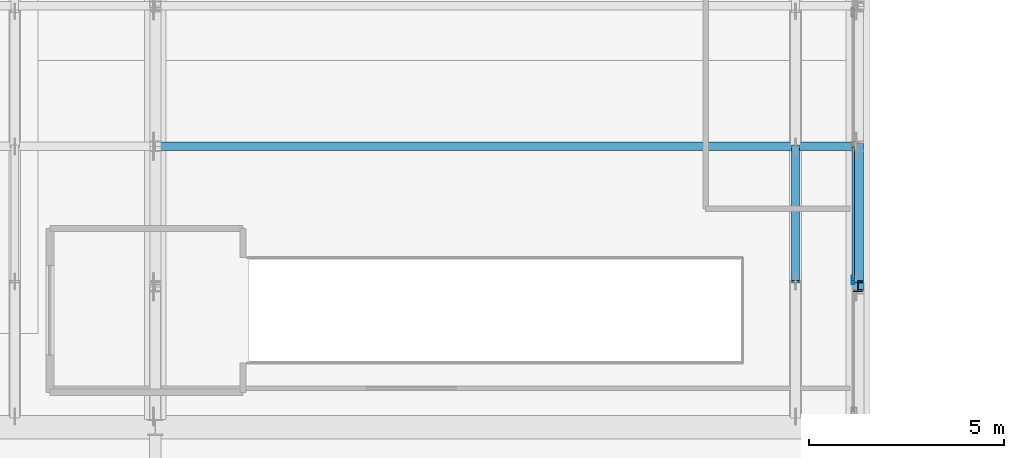
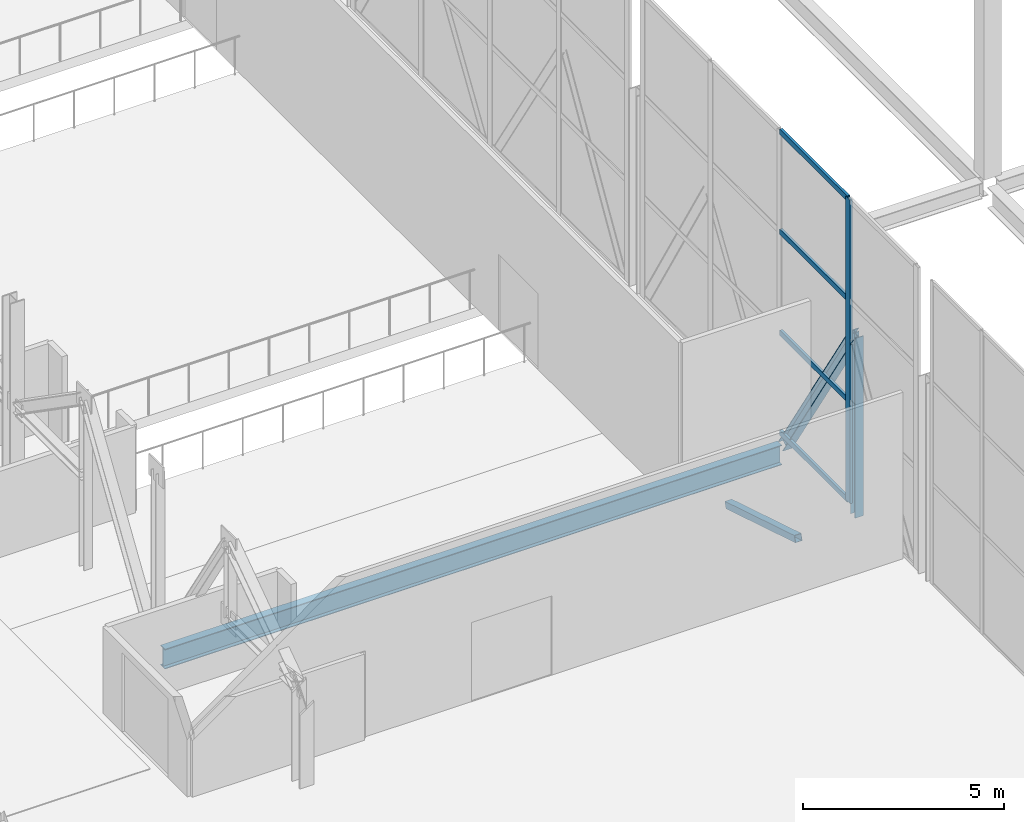
# One storey, part 55 of 191: 8 members, 1 beam, 1 element without a shape of its own.
"""IFC4 building model written with IfcOpenShell, lengths in metres."""

from ifc_helpers import new_model, si_unit, direction, frame, origin, origin_2d, place, context, subcontext, project, spatial, hollow_rectangle, i_section, extrude, material, layer, layer_set, material_profile, profile_set, type_object, element, aggregate, save


model = new_model("IFC4")

# Units and contexts
model_context = context("Model", 3, precision=1e-05, world=origin(), true_north=direction((0.0, 1.0)))
body_context = subcontext(model_context, "Body", "Model", "MODEL_VIEW")
ifc_project = project(units=[si_unit("LENGTHUNIT", "METRE"), si_unit("AREAUNIT", "SQUARE_METRE"), si_unit("VOLUMEUNIT", "CUBIC_METRE"), si_unit("PLANEANGLEUNIT", "RADIAN"), si_unit("MASSUNIT", "GRAM", prefix="KILO")], contexts=[model_context])

# Site, building, storey
site_placement = place(None, origin())
site = spatial("IfcSite", under=ifc_project, at=site_placement, CompositionType="ELEMENT")
building_placement = place(site_placement, origin())
building = spatial("IfcBuilding", under=site, at=building_placement, Name="Tamarisk Ironworks Central Station", CompositionType="ELEMENT")
storey_placement = place(building_placement, frame((0.0, 0.0, 6.60009765625)))
storey = spatial("IfcBuildingStorey", under=building, at=storey_placement, Name="L01", CompositionType="ELEMENT", Elevation=6.60009765625)

# Beam
ifc_material_1 = material(Name="Structural steel S355J2", Category="steel")
ifc_material_profile_1 = material_profile(ifc_material_1, i_section(OverallWidth=0.219970703125, OverallDepth=0.60009765625, WebThickness=0.011962890625, FlangeThickness=0.01904296875, at=origin_2d()), Name="IPE 600")
ifc_profile_set_1 = profile_set([ifc_material_profile_1], Name="Structural steel S355J2")
beam_type = type_object("IfcBeamType", Name="BM-B01", PredefinedType="BEAM", material=ifc_profile_set_1)
beam_placement = place(storey_placement, frame((90.135009765625, 28.800048828125, -0.60009765625), z_axis=(1.0, 0.0, 0.0), x_axis=(0.0, 1.0, 0.0)))
element("IfcBeam", 1, at=beam_placement, inside=storey, type_object=beam_type, Name="L01 secondary composite beam 0033", PredefinedType="BEAM", context=body_context, shape_type="SweptSolid", body=[
    extrude(i_section(OverallWidth=0.219970703125, OverallDepth=0.60009765625, WebThickness=0.011962890625, FlangeThickness=0.01904296875, at=origin_2d()), origin(), (0.0, 0.0, 1.0), 17.72998046875),
])

# Curtain wall, members
ifc_material_2 = material(Name="Anodized aluminium alloy 6063-T6", Category="aluminium")
ifc_layer = layer(ifc_material_2, 0.179931640625)
ifc_layer_set = layer_set([ifc_layer], Name="Anodized aluminium alloy 6063-T6")
curtain_wall_type = type_object("IfcCurtainWallType", Name="CW-06", PredefinedType="USERDEFINED", material=ifc_layer_set)
curtain_wall_placement = place(storey_placement, origin())
curtain_wall = element("IfcCurtainWall", 2, at=curtain_wall_placement, inside=storey, type_object=curtain_wall_type, Name="Concourse E track-overlook curtain wall 02", ObjectType="GLAZED CURTAIN WALL", PredefinedType="USERDEFINED")
ifc_material_profile_2 = material_profile(ifc_material_2, hollow_rectangle(XDim=0.074951171875, YDim=0.219970703125, WallThickness=0.00390625, at=origin_2d()), Name="ALUM 220x75")
ifc_profile_set_2 = profile_set([ifc_material_profile_2], Name="Anodized aluminium alloy 6063-T6")
member_type_1 = type_object("IfcMemberType", Name="CWM-01", PredefinedType="MULLION", material=ifc_profile_set_2)
member_1_placement = place(storey_placement, frame((107.8798828125, 25.375, 0.0), z_axis=(0.0, 0.0, 1.0), x_axis=(-1.0, 0.0, 0.0)))
member_1 = element("IfcMember", 3, at=member_1_placement, type_object=member_type_1, Name="CW06 mullion 2", PredefinedType="MULLION", context=body_context, shape_type="SweptSolid", body=[
    extrude(hollow_rectangle(XDim=0.074951171875, YDim=0.219970703125, WallThickness=0.00390625, at=origin_2d()), origin(), (0.0, 0.0, 1.0), 9.219970703125),
])
ifc_material_profile_3 = material_profile(ifc_material_2, hollow_rectangle(XDim=0.074951171875, YDim=0.159912109375, WallThickness=0.00390625, at=origin_2d()), Name="ALUM 160x75")
ifc_profile_set_3 = profile_set([ifc_material_profile_3], Name="Anodized aluminium alloy 6063-T6")
member_type_2 = type_object("IfcMemberType", Name="CWT-01", PredefinedType="USERDEFINED", material=ifc_profile_set_3)
member_2_placement = place(storey_placement, frame((107.8798828125, 25.408447265625, 0.037353515625), z_axis=(0.0, 1.0, 0.0), x_axis=(-1.0, 0.0, 0.0)))
member_2 = element("IfcMember", 4, at=member_2_placement, type_object=member_type_2, Name="CW06 transom 2.1", ObjectType="TRANSOM", PredefinedType="USERDEFINED", context=body_context, shape_type="SweptSolid", body=[
    extrude(hollow_rectangle(XDim=0.074951171875, YDim=0.159912109375, WallThickness=0.00390625, at=origin_2d()), origin(), (0.0, 0.0, 1.0), 3.358154296875),
])
member_3_placement = place(storey_placement, frame((107.8798828125, 25.408447265625, 3.0732421875), z_axis=(0.0, 1.0, 0.0), x_axis=(-1.0, 0.0, 0.0)))
member_3 = element("IfcMember", 5, at=member_3_placement, type_object=member_type_2, Name="CW06 transom 2.2", ObjectType="TRANSOM", PredefinedType="USERDEFINED", context=body_context, shape_type="SweptSolid", body=[
    extrude(hollow_rectangle(XDim=0.074951171875, YDim=0.159912109375, WallThickness=0.00390625, at=origin_2d()), origin(), (0.0, 0.0, 1.0), 3.358154296875),
])
member_4_placement = place(storey_placement, frame((107.8798828125, 25.408447265625, 6.146484375), z_axis=(0.0, 1.0, 0.0), x_axis=(-1.0, 0.0, 0.0)))
member_4 = element("IfcMember", 6, at=member_4_placement, type_object=member_type_2, Name="CW06 transom 2.3", ObjectType="TRANSOM", PredefinedType="USERDEFINED", context=body_context, shape_type="SweptSolid", body=[
    extrude(hollow_rectangle(XDim=0.074951171875, YDim=0.159912109375, WallThickness=0.00390625, at=origin_2d()), origin(), (0.0, 0.0, 1.0), 3.358154296875),
])
member_5_placement = place(storey_placement, frame((107.8798828125, 25.408447265625, 9.182373046875), z_axis=(0.0, 1.0, 0.0), x_axis=(-1.0, 0.0, 0.0)))
member_5 = element("IfcMember", 7, at=member_5_placement, type_object=member_type_2, Name="CW06 transom 2.4", ObjectType="TRANSOM", PredefinedType="USERDEFINED", context=body_context, shape_type="SweptSolid", body=[
    extrude(hollow_rectangle(XDim=0.074951171875, YDim=0.159912109375, WallThickness=0.00390625, at=origin_2d()), origin(), (0.0, 0.0, 1.0), 3.358154296875),
])
aggregate(curtain_wall, [member_1, member_2, member_3, member_4, member_5])

# Members
ifc_material_3 = material(Name="Structural steel S355J2H", Category="steel")
ifc_material_profile_4 = material_profile(ifc_material_3, hollow_rectangle(XDim=0.199951171875, YDim=0.199951171875, WallThickness=0.010009765625, at=origin_2d()), Name="SHS 200x200x10")
ifc_profile_set_4 = profile_set([ifc_material_profile_4], Name="Structural steel S355J2H")
member_type_3 = type_object("IfcMemberType", Name="MB-BR02", PredefinedType="BRACE", material=ifc_profile_set_4)
member_6_placement = place(storey_placement, frame((106.39990234375, 25.340087890625, -0.580078125), z_axis=(0.0, 0.956131332595, -0.292938346467), x_axis=(-1.0, 0.0, 0.0)))
element("IfcMember", 8, at=member_6_placement, inside=storey, type_object=member_type_3, Name="Bridge deck stiffening web brace 188", PredefinedType="BRACE", context=body_context, shape_type="SweptSolid", body=[
    extrude(hollow_rectangle(XDim=0.199951171875, YDim=0.199951171875, WallThickness=0.010009765625, at=origin_2d()), origin(), (0.0, 0.0, 1.0), 3.61865234375),
])
ifc_material_profile_5 = material_profile(ifc_material_1, i_section(OverallWidth=0.280029296875, OverallDepth=0.280029296875, WebThickness=0.010498046875, FlangeThickness=0.01806640625, at=origin_2d()), Name="HEB 280")
ifc_profile_set_5 = profile_set([ifc_material_profile_5], Name="Structural steel S355J2")
member_type_4 = type_object("IfcMemberType", Name="MB-TTD02", PredefinedType="BRACE", material=ifc_profile_set_5)
member_7_placement = place(storey_placement, frame((108.0, 25.239990234375, 5.119873046875), z_axis=(0.0, 0.539055818311, -0.842270042649), x_axis=(-1.0, 0.0, 0.0)))
element("IfcMember", 9, at=member_7_placement, inside=storey, type_object=member_type_4, Name="Transfer truss diagonal 086", PredefinedType="BRACE", context=body_context, shape_type="SweptSolid", body=[
    extrude(i_section(OverallWidth=0.280029296875, OverallDepth=0.280029296875, WebThickness=0.010498046875, FlangeThickness=0.01806640625, at=origin_2d()), origin(), (0.0, 0.0, 1.0), 6.530029296875),
])
ifc_material_profile_6 = material_profile(ifc_material_1, i_section(OverallWidth=0.239990234375, OverallDepth=0.239990234375, WebThickness=0.010009765625, FlangeThickness=0.01708984375, at=origin_2d()), Name="HEB 240")
ifc_profile_set_6 = profile_set([ifc_material_profile_6], Name="Structural steel S355J2")
member_type_5 = type_object("IfcMemberType", Name="MB-TTP02", PredefinedType="POST", material=ifc_profile_set_6)
member_8_placement = place(storey_placement, frame((108.0, 25.199951171875, -0.340087890625), z_axis=(0.0, 0.0, 1.0), x_axis=(1.0, 0.0, 0.0)))
element("IfcMember", 10, at=member_8_placement, inside=storey, type_object=member_type_5, Name="Transfer truss vertical post 087", PredefinedType="POST", context=body_context, shape_type="SweptSolid", body=[
    extrude(i_section(OverallWidth=0.239990234375, OverallDepth=0.239990234375, WebThickness=0.010009765625, FlangeThickness=0.01708984375, at=origin_2d()), origin(), (0.0, 0.0, 1.0), 5.4599609375),
])

save(model, "model.ifc")
